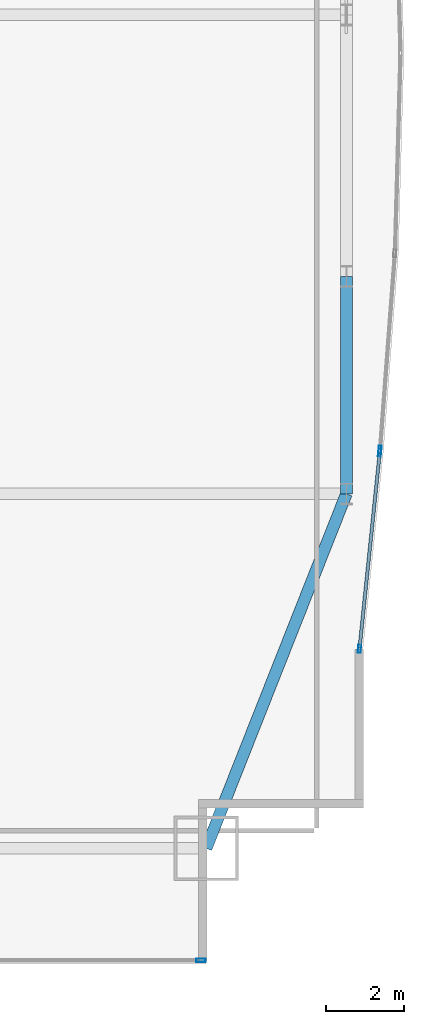
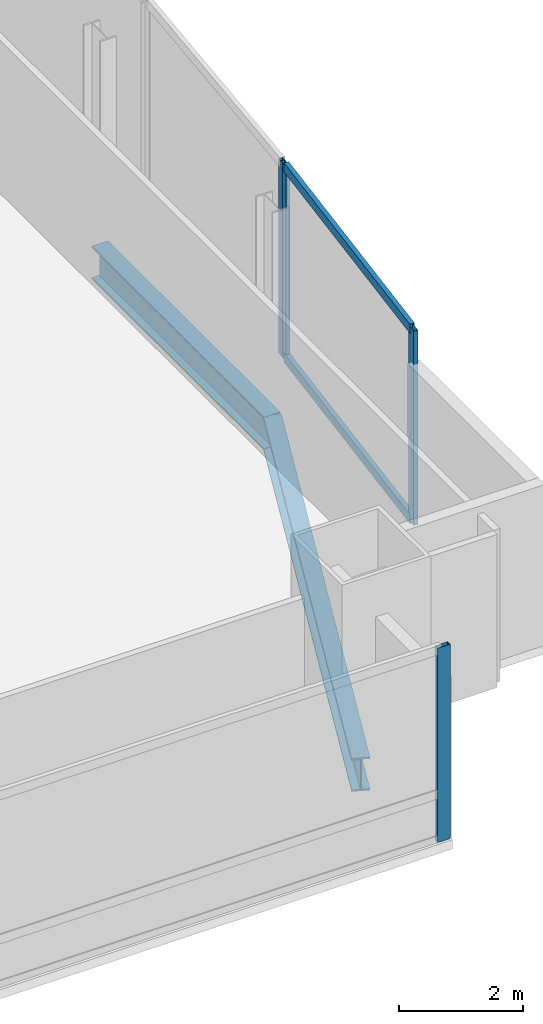
# One storey, part 21 of 33: 6 members, 2 beams, 3 elements without a shape of their own.
"""IFC4 building model written with IfcOpenShell, lengths in metres."""

import ifcopenshell
import ifcopenshell.guid

model = None  # the IFC model being written
_history = None  # IfcOwnerHistory: only IFC2X3 demands one
_inside = {}  # id of a spatial element -> (the spatial element, [elements in it])
_under = {}  # id of a project, library or spatial element -> (it, [spatial elements below it])
_declared = {}  # id of a project -> (the project, [libraries it declares])
_typed = {}  # id of a type object -> (the type object, [elements of that type])
_made_of = {}  # id of a material, layer set ... -> (it, [elements and type objects made of it])


def new_model(schema):
    """Start an empty IFC model of exactly this schema.

    Asked for "IFC4X3", IfcOpenShell would pick the latest addendum, in which some entities
    have other attributes; the version numbers below select the first issue.
    IFC2X3 requires an IfcOwnerHistory on every rooted entity: one is made here for all.
    """
    global model, _history
    if schema == "IFC4X3":
        model = ifcopenshell.file(schema_version=(4, 3, 0, 0))
    else:
        model = ifcopenshell.file(schema=schema)
    _inside.clear()
    _under.clear()
    _declared.clear()
    _typed.clear()
    _made_of.clear()
    _history = None
    if model.schema == "IFC2X3":
        org = make("IfcOrganization", Name="unknown")
        user = make(
            "IfcPersonAndOrganization",
            ThePerson=make("IfcPerson", FamilyName="unknown"),
            TheOrganization=org,
        )
        app = make(
            "IfcApplication",
            ApplicationDeveloper=org,
            Version="unknown",
            ApplicationFullName="unknown",
            ApplicationIdentifier="unknown",
        )
        _history = make(
            "IfcOwnerHistory",
            OwningUser=user,
            OwningApplication=app,
            ChangeAction="ADDED",
            CreationDate=0,
        )
    return model


def make(cls, **values):
    """One entity of the class cls with the attributes given. An attribute that is None is left unset."""
    return model.create_entity(
        cls, **{name: value for name, value in values.items() if value is not None}
    )


def rooted(cls, **values):
    """An entity with a GlobalId (a new one), such as an element, a storey or a relation."""
    return make(cls, GlobalId=ifcopenshell.guid.new(), OwnerHistory=_history, **values)


def si_unit(unit_type, name, prefix=None):
    """IfcSIUnit, for example si_unit("LENGTHUNIT", "METRE", prefix="MILLI")."""
    return make("IfcSIUnit", UnitType=unit_type, Prefix=prefix, Name=name)


def assignment(units):
    """IfcUnitAssignment: the units of a project."""
    return None if units is None else make("IfcUnitAssignment", Units=units)


def point(xyz):
    """IfcCartesianPoint."""
    return None if xyz is None else make("IfcCartesianPoint", Coordinates=xyz)


def direction(xyz):
    """IfcDirection."""
    return None if xyz is None else make("IfcDirection", DirectionRatios=xyz)


def frame(location, z_axis=None, x_axis=None):
    """IfcAxis2Placement3D, a coordinate frame: its origin and axes. An axis left out is left unset."""
    return make(
        "IfcAxis2Placement3D",
        Location=point(location),
        Axis=direction(z_axis),
        RefDirection=direction(x_axis),
    )


def frame_2d(location, x_axis=None):
    """IfcAxis2Placement2D, a coordinate frame in the plane: its origin and x axis."""
    return make(
        "IfcAxis2Placement2D", Location=point(location), RefDirection=direction(x_axis)
    )


def origin():
    """The frame at (0, 0, 0) with its axes left unset."""
    return frame((0.0, 0.0, 0.0))


def origin_2d():
    """The frame at (0, 0) in the plane with its x axis left unset."""
    return frame_2d((0.0, 0.0))


def place(relative_to, where):
    """IfcLocalPlacement: puts the frame where relative to a parent placement (None: the world)."""
    return make(
        "IfcLocalPlacement", PlacementRelTo=relative_to, RelativePlacement=where
    )


def context(
    kind, dimensions, precision=None, world=None, true_north=None, identifier=None
):
    """IfcGeometricRepresentationContext, for example the 3D "Model" context."""
    return make(
        "IfcGeometricRepresentationContext",
        ContextIdentifier=identifier,
        ContextType=kind,
        CoordinateSpaceDimension=dimensions,
        Precision=precision,
        WorldCoordinateSystem=world,
        TrueNorth=true_north,
    )


def subcontext(parent, identifier, kind, view, scale=None):
    """IfcGeometricRepresentationSubContext, for example "Body" below "Model"."""
    return make(
        "IfcGeometricRepresentationSubContext",
        ContextIdentifier=identifier,
        ContextType=kind,
        ParentContext=parent,
        TargetScale=scale,
        TargetView=view,
    )


def project(units=None, contexts=None):
    """IfcProject with its units and contexts."""
    return rooted(
        "IfcProject",
        Name="project",
        RepresentationContexts=contexts,
        UnitsInContext=assignment(units),
    )


def spatial(cls, under=None, at=None, **own):
    """A site, building, storey or space (cls), placed at a placement, below another one or the project."""
    s = rooted(cls, ObjectPlacement=at, **own)
    if under is not None:
        _under.setdefault(under.id(), (under, []))[1].append(s)
    return s


def profile(cls, at=None, kind="AREA", **sizes):
    """A parametric profile (cls). Its sizes go by their IFC names, for example OverallWidth=200.0."""
    return make(cls, ProfileType=kind, Position=at, **sizes)


def hollow_rectangle(**sizes):
    """IfcRectangleHollowProfileDef."""
    return profile("IfcRectangleHollowProfileDef", **sizes)


def i_section(**sizes):
    """IfcIShapeProfileDef."""
    return profile("IfcIShapeProfileDef", **sizes)


def extrude(swept, where, along, depth):
    """IfcExtrudedAreaSolid: the profile swept, set in the frame where, extruded along a direction by depth."""
    return make(
        "IfcExtrudedAreaSolid",
        SweptArea=swept,
        Position=where,
        ExtrudedDirection=direction(along),
        Depth=depth,
    )


def shape(context_of_items, identifier, shape_type, items):
    """IfcShapeRepresentation: the items that make up one representation, for example the "Body"."""
    return make(
        "IfcShapeRepresentation",
        ContextOfItems=context_of_items,
        RepresentationIdentifier=identifier,
        RepresentationType=shape_type,
        Items=items,
    )


def material(Name=None, Category=None):
    """IfcMaterial."""
    return make("IfcMaterial", Name=Name, Category=Category)


def material_profile(
    of_material, cross_section, Name=None, Category=None, Priority=None
):
    """IfcMaterialProfile: a cross section and its material."""
    return make(
        "IfcMaterialProfile",
        Name=Name,
        Material=of_material,
        Profile=cross_section,
        Priority=Priority,
        Category=Category,
    )


def profile_set(profiles, Name=None, composite=None):
    """IfcMaterialProfileSet."""
    return make(
        "IfcMaterialProfileSet",
        Name=Name,
        MaterialProfiles=profiles,
        CompositeProfile=composite,
    )


def made_of(thing, what):
    """Note that an element or type object is made of a material, layer set ...; save() writes the relation."""
    if what is not None:
        _made_of.setdefault(what.id(), (what, []))[1].append(thing)
    return thing


def type_object(cls, material=None, **own):
    """A type object (cls), such as IfcWallType, which elements share."""
    return made_of(rooted(cls, **own), material)


def element(
    cls,
    number,
    at=None,
    inside=None,
    cuts=None,
    type_object=None,
    material=None,
    context=None,
    identifier="Body",
    shape_type=None,
    held_by="IfcProductDefinitionShape",
    body=None,
    shapes=None,
    **own,
):
    """One element of the class cls, such as IfcWall. Its Tag is "e" and its number.

    at: its placement. inside: the storey or other place that contains it. cuts: it is an
    opening in that element (IfcRelVoidsElement). A single representation is given by context,
    identifier, shape_type and body (its items); several are given by shapes. held_by: the class
    of the entity that holds the representations. save() writes the other relations.
    """
    e = rooted(cls, Tag="e%d" % number, ObjectPlacement=at, **own)
    if body is not None:
        shapes = [shape(context, identifier, shape_type, body)]
    if shapes is not None:
        e.Representation = make(held_by, Representations=shapes)
    if inside is not None:
        _inside.setdefault(inside.id(), (inside, []))[1].append(e)
    if cuts is not None:
        rooted(
            "IfcRelVoidsElement", RelatingBuildingElement=cuts, RelatedOpeningElement=e
        )
    if type_object is not None:
        _typed.setdefault(type_object.id(), (type_object, []))[1].append(e)
    return made_of(e, material)


def aggregate(whole, parts):
    """IfcRelAggregates: a whole, such as a stair, and the parts it consists of."""
    return rooted("IfcRelAggregates", RelatingObject=whole, RelatedObjects=parts)


def save(model, path):
    """Write the relations noted so far, then the file.

    IfcRelAggregates (storeys below a building ...), IfcRelContainedInSpatialStructure (elements
    in a storey), IfcRelDefinesByType, IfcRelAssociatesMaterial and IfcRelDeclares: one each for
    every whole, place, type object, material and project.
    """
    for whole, parts in _under.values():
        aggregate(whole, parts)
    for where, things in _inside.values():
        rooted(
            "IfcRelContainedInSpatialStructure",
            RelatedElements=things,
            RelatingStructure=where,
        )
    for kind, things in _typed.values():
        rooted("IfcRelDefinesByType", RelatedObjects=things, RelatingType=kind)
    for what, things in _made_of.values():
        rooted("IfcRelAssociatesMaterial", RelatedObjects=things, RelatingMaterial=what)
    for by, libraries in _declared.values():
        rooted("IfcRelDeclares", RelatingContext=by, RelatedDefinitions=libraries)
    model.write(path)


model = new_model("IFC4")

# Units and contexts
model_context = context("Model", 3, precision=1e-05, world=origin(), true_north=direction((0.0, 1.0)))
body_context = subcontext(model_context, "Body", "Model", "MODEL_VIEW")
ifc_project = project(units=[si_unit("LENGTHUNIT", "METRE"), si_unit("AREAUNIT", "SQUARE_METRE"), si_unit("VOLUMEUNIT", "CUBIC_METRE"), si_unit("PLANEANGLEUNIT", "RADIAN"), si_unit("MASSUNIT", "GRAM", prefix="KILO")], contexts=[model_context])

# Site, building, storey
site_placement = place(None, origin())
site = spatial("IfcSite", under=ifc_project, at=site_placement, CompositionType="ELEMENT")
building_placement = place(site_placement, origin())
building = spatial("IfcBuilding", under=site, at=building_placement, Name="Khoronbel Lancet Exchange", CompositionType="ELEMENT")
storey_placement = place(building_placement, frame((0.0, 0.0, 33.800048828125)))
storey = spatial("IfcBuildingStorey", under=building, at=storey_placement, Name="L07", CompositionType="ELEMENT", Elevation=33.800048828125)

# Beams
ifc_material_1 = material(Name="Steel S355", Category="steel")
ifc_material_profile_1 = material_profile(ifc_material_1, i_section(OverallWidth=0.300048828125, OverallDepth=0.64990234375, WebThickness=0.01611328125, FlangeThickness=0.031005859375, at=origin_2d()), Name="HEB 650")
ifc_profile_set_1 = profile_set([ifc_material_profile_1], Name="Steel S355")
beam_type = type_object("IfcBeamType", Name="BM-BSP1", PredefinedType="SPANDREL", material=ifc_profile_set_1)
beam_1_placement = place(storey_placement, frame((68.050048828125, 10.14990234375, -0.505126953125), z_axis=(0.367828403855, 0.929893684954, 0.0), x_axis=(-0.929893684954, 0.367828403855, 0.0)))
element("IfcBeam", 1, at=beam_1_placement, inside=storey, type_object=beam_type, Name="Level L07 perimeter spandrel beam SP10", PredefinedType="SPANDREL", context=body_context, shape_type="SweptSolid", body=[
    extrude(i_section(OverallWidth=0.300048828125, OverallDepth=0.64990234375, WebThickness=0.01611328125, FlangeThickness=0.031005859375, at=origin_2d()), origin(), (0.0, 0.0, 1.0), 9.732421875),
])
beam_2_placement = place(storey_placement, frame((71.6298828125, 19.199951171875, -0.505126953125), z_axis=(0.0, 1.0, 0.0), x_axis=(-1.0, 0.0, 0.0)))
element("IfcBeam", 2, at=beam_2_placement, inside=storey, type_object=beam_type, Name="Level L07 perimeter spandrel beam SP11", PredefinedType="SPANDREL", context=body_context, shape_type="SweptSolid", body=[
    extrude(i_section(OverallWidth=0.300048828125, OverallDepth=0.64990234375, WebThickness=0.01611328125, FlangeThickness=0.031005859375, at=origin_2d()), origin(), (0.0, 0.0, 1.0), 5.550048828125),
])

# Curtain wall, member
ifc_material_2 = material(Name="Low-E Solar Control Insulating Glass", Category="glass")
curtain_wall_type_1 = type_object("IfcCurtainWallType", Name="CW-1", PredefinedType="NOTDEFINED", material=ifc_material_2)
curtain_wall_1_placement = place(storey_placement, origin())
curtain_wall_1 = element("IfcCurtainWall", 3, at=curtain_wall_1_placement, inside=storey, type_object=curtain_wall_type_1, Name="Unitised curtain wall CW-L07-SEV", PredefinedType="NOTDEFINED")
ifc_material_3 = material(Name="Bronze-Anodised Aluminium 6063-T6", Category="aluminium")
ifc_material_profile_2 = material_profile(ifc_material_3, hollow_rectangle(XDim=0.0849609375, YDim=0.239990234375, WallThickness=0.006103515625, at=origin_2d()), Name="ALU MULLION 85x240")
ifc_profile_set_2 = profile_set([ifc_material_profile_2], Name="Bronze-Anodised Aluminium 6063-T6")
member_type_1 = type_object("IfcMemberType", Name="MEM-CWM1", PredefinedType="MULLION", material=ifc_profile_set_2)
member_1_placement = place(storey_placement, frame((67.91748046875, 7.2900390625, 0.0), z_axis=(0.0, 0.0, 1.0), x_axis=(0.0, 1.0, 0.0)))
member_1 = element("IfcMember", 4, at=member_1_placement, type_object=member_type_1, Name="CW1 mullion 2", PredefinedType="MULLION", context=body_context, shape_type="SweptSolid", body=[
    extrude(hollow_rectangle(XDim=0.0849609375, YDim=0.239990234375, WallThickness=0.006103515625, at=origin_2d()), origin(), (0.0, 0.0, 1.0), 3.820068359375),
])
aggregate(curtain_wall_1, [member_1])

curtain_wall_type_2 = type_object("IfcCurtainWallType", Name="CW-4", PredefinedType="NOTDEFINED", material=ifc_material_2)
curtain_wall_2_placement = place(storey_placement, origin())
curtain_wall_2 = element("IfcCurtainWall", 5, at=curtain_wall_2_placement, inside=storey, type_object=curtain_wall_type_2, Name="Unitised curtain wall CW-L07-E21", PredefinedType="NOTDEFINED")
ifc_material_profile_3 = material_profile(ifc_material_3, hollow_rectangle(XDim=0.074951171875, YDim=0.199951171875, WallThickness=0.0048828125, at=origin_2d()), Name="ALU MULLION 75x200")
ifc_profile_set_3 = profile_set([ifc_material_profile_3], Name="Bronze-Anodised Aluminium 6063-T6")
member_type_2 = type_object("IfcMemberType", Name="MEM-CWM2", PredefinedType="MULLION", material=ifc_profile_set_3)
member_2_placement = place(storey_placement, frame((72.488037109375, 20.32861328125, 0.0), z_axis=(0.0, 0.0, 1.0), x_axis=(0.997153744129, -0.075395030141, 0.0)))
member_2 = element("IfcMember", 6, at=member_2_placement, type_object=member_type_2, Name="CW4 mullion 2", PredefinedType="MULLION", context=body_context, shape_type="SweptSolid", body=[
    extrude(hollow_rectangle(XDim=0.074951171875, YDim=0.199951171875, WallThickness=0.0048828125, at=origin_2d()), origin(), (0.0, 0.0, 1.0), 3.820068359375),
])
aggregate(curtain_wall_2, [member_2])

# Curtain wall, members
curtain_wall_3_placement = place(storey_placement, origin())
curtain_wall_3 = element("IfcCurtainWall", 7, at=curtain_wall_3_placement, inside=storey, type_object=curtain_wall_type_2, Name="Unitised curtain wall CW-L07-E22", PredefinedType="NOTDEFINED")
member_3_placement = place(storey_placement, frame((72.4814453125, 20.25390625, 0.0), z_axis=(0.0, 0.0, 1.0), x_axis=(0.994709998998, -0.102723015403, 0.0)))
member_3 = element("IfcMember", 8, at=member_3_placement, type_object=member_type_2, Name="CW4 mullion 1", PredefinedType="MULLION", context=body_context, shape_type="SweptSolid", body=[
    extrude(hollow_rectangle(XDim=0.074951171875, YDim=0.199951171875, WallThickness=0.0048828125, at=origin_2d()), origin(), (0.0, 0.0, 1.0), 3.820068359375),
])
member_4_placement = place(storey_placement, frame((71.9638671875, 15.241943359375, 0.0), z_axis=(0.0, 0.0, 1.0), x_axis=(0.994709998998, -0.102723015403, 0.0)))
member_4 = element("IfcMember", 9, at=member_4_placement, type_object=member_type_2, Name="CW4 mullion 2", PredefinedType="MULLION", context=body_context, shape_type="SweptSolid", body=[
    extrude(hollow_rectangle(XDim=0.074951171875, YDim=0.199951171875, WallThickness=0.0048828125, at=origin_2d()), origin(), (0.0, 0.0, 1.0), 3.820068359375),
])
ifc_material_profile_4 = material_profile(ifc_material_3, hollow_rectangle(XDim=0.0849609375, YDim=0.179931640625, WallThickness=0.0048828125, at=origin_2d()), Name="ALU TRANSOM 85x180")
ifc_profile_set_4 = profile_set([ifc_material_profile_4], Name="Bronze-Anodised Aluminium 6063-T6")
member_type_3 = type_object("IfcMemberType", Name="MEM-CWT1", PredefinedType="USERDEFINED", material=ifc_profile_set_4)
member_5_placement = place(storey_placement, frame((72.4775390625, 20.216796875, 0.04248046875), z_axis=(-0.102697780779, -0.994712604637, 0.0), x_axis=(0.994712604637, -0.102697780779, 0.0)))
member_5 = element("IfcMember", 10, at=member_5_placement, type_object=member_type_3, Name="CW4 transom 1.1", ObjectType="TRANSOM", PredefinedType="USERDEFINED", context=body_context, shape_type="SweptSolid", body=[
    extrude(hollow_rectangle(XDim=0.0849609375, YDim=0.179931640625, WallThickness=0.0048828125, at=origin_2d()), origin(), (0.0, 0.0, 1.0), 4.9638671875),
])
member_6_placement = place(storey_placement, frame((72.4775390625, 20.216796875, 3.77734375), z_axis=(-0.102697780779, -0.994712604637, 0.0), x_axis=(0.994712604637, -0.102697780779, 0.0)))
member_6 = element("IfcMember", 11, at=member_6_placement, type_object=member_type_3, Name="CW4 transom 1.2", ObjectType="TRANSOM", PredefinedType="USERDEFINED", context=body_context, shape_type="SweptSolid", body=[
    extrude(hollow_rectangle(XDim=0.0849609375, YDim=0.179931640625, WallThickness=0.0048828125, at=origin_2d()), origin(), (0.0, 0.0, 1.0), 4.9638671875),
])
aggregate(curtain_wall_3, [member_3, member_4, member_5, member_6])

save(model, "model.ifc")
